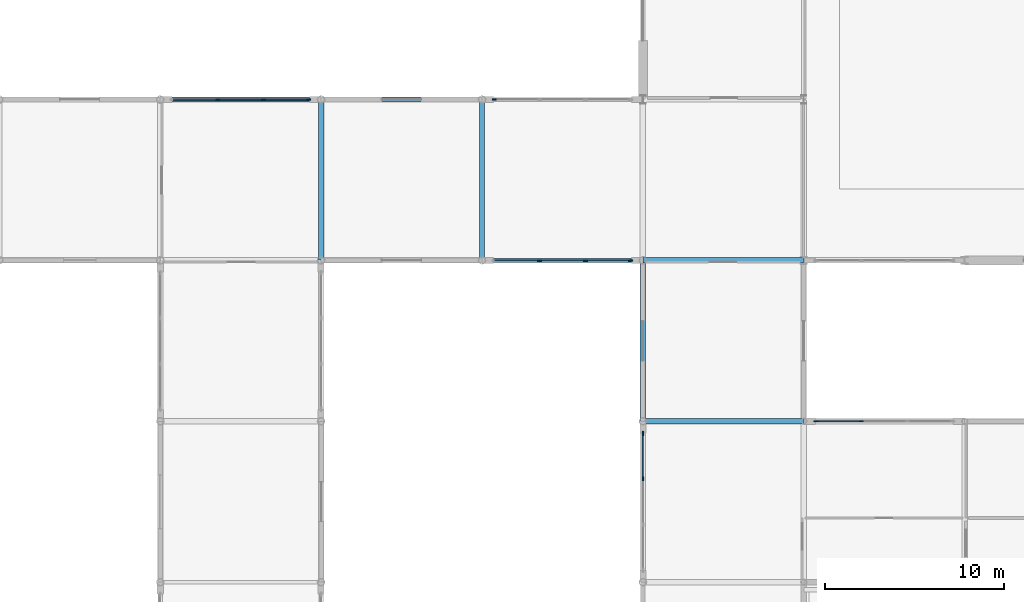
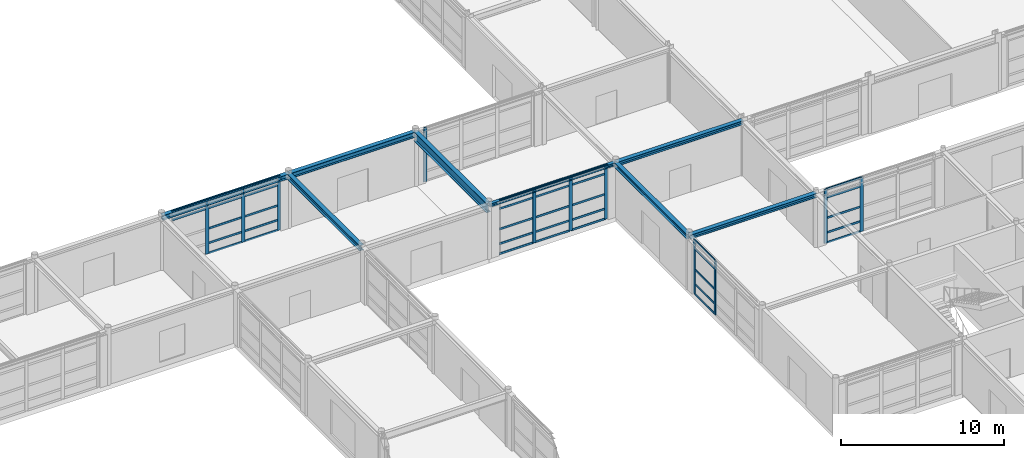
# One storey, part 34 of 72: 48 members, 8 beams, 5 elements without a shape of their own.
"""IFC4 building model written with IfcOpenShell, lengths in metres."""

from ifc_helpers import new_model, si_unit, direction, frame, origin, origin_2d, place, context, subcontext, project, spatial, rectangle, i_section, extrude, material, material_profile, profile_set, type_object, element, aggregate, save


model = new_model("IFC4")

# Units and contexts
model_context = context("Model", 3, precision=1e-05, world=origin(), true_north=direction((0.0, 1.0)))
body_context = subcontext(model_context, "Body", "Model", "MODEL_VIEW")
ifc_project = project(units=[si_unit("LENGTHUNIT", "METRE"), si_unit("AREAUNIT", "SQUARE_METRE"), si_unit("VOLUMEUNIT", "CUBIC_METRE"), si_unit("PLANEANGLEUNIT", "RADIAN"), si_unit("MASSUNIT", "GRAM", prefix="KILO")], contexts=[model_context])

# Site, building, storey
site_placement = place(None, origin())
site = spatial("IfcSite", under=ifc_project, at=site_placement, CompositionType="ELEMENT")
building_placement = place(site_placement, origin())
building = spatial("IfcBuilding", under=site, at=building_placement, Name="Palais des Congres Ocreval", CompositionType="ELEMENT")
storey_placement = place(building_placement, origin())
storey = spatial("IfcBuildingStorey", under=building, at=storey_placement, Name="L00", CompositionType="ELEMENT", Elevation=0.0)

# Curtain wall, members
ifc_material_1 = material(Name="Anodized bronze aluminium and low-E glass", Category="glass")
curtain_wall_type = type_object("IfcCurtainWallType", Name="Unitised Curtain Wall 7900x4060", PredefinedType="USERDEFINED", material=ifc_material_1)
curtain_wall_1_placement = place(storey_placement, origin())
curtain_wall_1 = element("IfcCurtainWall", 1, at=curtain_wall_1_placement, inside=storey, type_object=curtain_wall_type, Name="Unitised Curtain Wall CW01 L00", ObjectType="UNITISED CURTAIN WALL", PredefinedType="USERDEFINED")
ifc_material_2 = material(Name="Anodized bronze aluminium", Category="aluminium")
ifc_material_profile_1 = material_profile(ifc_material_2, rectangle(XDim=0.074951171875, YDim=0.239990234375, at=origin_2d()), Name="ALU 75x240")
ifc_profile_set_1 = profile_set([ifc_material_profile_1], Name="Anodized bronze aluminium")
member_type_1 = type_object("IfcMemberType", Name="Curtain Wall Mullion ALU 75x240", PredefinedType="MULLION", material=ifc_profile_set_1)
member_1_placement = place(storey_placement, frame((75.216796875, 81.0, 0.0), z_axis=(0.0, 0.0, 1.0), x_axis=(0.0, 1.0, 0.0)))
member_1 = element("IfcMember", 2, at=member_1_placement, type_object=member_type_1, Name="Curtain Wall Mullion ML01", PredefinedType="MULLION", context=body_context, shape_type="SweptSolid", body=[
    extrude(rectangle(XDim=0.074951171875, YDim=0.239990234375, at=origin_2d()), origin(), (0.0, 0.0, 1.0), 4.054931640625),
])
member_2_placement = place(storey_placement, frame((77.783203125, 81.0, 0.0), z_axis=(0.0, 0.0, 1.0), x_axis=(0.0, 1.0, 0.0)))
member_2 = element("IfcMember", 3, at=member_2_placement, type_object=member_type_1, Name="Curtain Wall Mullion ML01", PredefinedType="MULLION", context=body_context, shape_type="SweptSolid", body=[
    extrude(rectangle(XDim=0.074951171875, YDim=0.239990234375, at=origin_2d()), origin(), (0.0, 0.0, 1.0), 4.054931640625),
])
member_3_placement = place(storey_placement, frame((80.3125, 81.0, 0.0), z_axis=(0.0, 0.0, 1.0), x_axis=(0.0, 1.0, 0.0)))
member_3 = element("IfcMember", 4, at=member_3_placement, type_object=member_type_1, Name="Curtain Wall Mullion ML01", PredefinedType="MULLION", context=body_context, shape_type="SweptSolid", body=[
    extrude(rectangle(XDim=0.074951171875, YDim=0.239990234375, at=origin_2d()), origin(), (0.0, 0.0, 1.0), 4.054931640625),
])

# Curtain wall, member
curtain_wall_2_placement = place(storey_placement, origin())
curtain_wall_2 = element("IfcCurtainWall", 5, at=curtain_wall_2_placement, inside=storey, type_object=curtain_wall_type, Name="Unitised Curtain Wall CW01 L00", ObjectType="UNITISED CURTAIN WALL", PredefinedType="USERDEFINED")
member_4_placement = place(storey_placement, frame((90.6875, 81.0, 0.0), z_axis=(0.0, 0.0, 1.0), x_axis=(0.0, 1.0, 0.0)))
member_4 = element("IfcMember", 6, at=member_4_placement, type_object=member_type_1, Name="Curtain Wall Mullion ML01", PredefinedType="MULLION", context=body_context, shape_type="SweptSolid", body=[
    extrude(rectangle(XDim=0.074951171875, YDim=0.239990234375, at=origin_2d()), origin(), (0.0, 0.0, 1.0), 4.054931640625),
])
aggregate(curtain_wall_2, [member_4])

# Curtain wall, members
curtain_wall_3_placement = place(storey_placement, origin())
curtain_wall_3 = element("IfcCurtainWall", 7, at=curtain_wall_3_placement, inside=storey, type_object=curtain_wall_type, Name="Unitised Curtain Wall CW01 L00", ObjectType="UNITISED CURTAIN WALL", PredefinedType="USERDEFINED")
member_5_placement = place(storey_placement, frame((108.6875, 63.0, 0.0), z_axis=(0.0, 0.0, 1.0), x_axis=(0.0, 1.0, 0.0)))
member_5 = element("IfcMember", 8, at=member_5_placement, type_object=member_type_1, Name="Curtain Wall Mullion ML01", PredefinedType="MULLION", context=body_context, shape_type="SweptSolid", body=[
    extrude(rectangle(XDim=0.074951171875, YDim=0.239990234375, at=origin_2d()), origin(), (0.0, 0.0, 1.0), 4.054931640625),
])
member_6_placement = place(storey_placement, frame((111.216796875, 63.0, 0.0), z_axis=(0.0, 0.0, 1.0), x_axis=(0.0, 1.0, 0.0)))
member_6 = element("IfcMember", 9, at=member_6_placement, type_object=member_type_1, Name="Curtain Wall Mullion ML01", PredefinedType="MULLION", context=body_context, shape_type="SweptSolid", body=[
    extrude(rectangle(XDim=0.074951171875, YDim=0.239990234375, at=origin_2d()), origin(), (0.0, 0.0, 1.0), 4.054931640625),
])

curtain_wall_4_placement = place(storey_placement, origin())
curtain_wall_4 = element("IfcCurtainWall", 10, at=curtain_wall_4_placement, inside=storey, type_object=curtain_wall_type, Name="Unitised Curtain Wall CW01 L00", ObjectType="UNITISED CURTAIN WALL", PredefinedType="USERDEFINED")
member_7_placement = place(storey_placement, frame((99.0, 59.783203125, 0.0), z_axis=(0.0, 0.0, 1.0), x_axis=(-1.0, 0.0, 0.0)))
member_7 = element("IfcMember", 11, at=member_7_placement, type_object=member_type_1, Name="Curtain Wall Mullion ML01", PredefinedType="MULLION", context=body_context, shape_type="SweptSolid", body=[
    extrude(rectangle(XDim=0.074951171875, YDim=0.239990234375, at=origin_2d()), origin(), (0.0, 0.0, 1.0), 4.054931640625),
])
member_8_placement = place(storey_placement, frame((99.0, 62.3125, 0.0), z_axis=(0.0, 0.0, 1.0), x_axis=(-1.0, 0.0, 0.0)))
member_8 = element("IfcMember", 12, at=member_8_placement, type_object=member_type_1, Name="Curtain Wall Mullion ML01", PredefinedType="MULLION", context=body_context, shape_type="SweptSolid", body=[
    extrude(rectangle(XDim=0.074951171875, YDim=0.239990234375, at=origin_2d()), origin(), (0.0, 0.0, 1.0), 4.054931640625),
])

curtain_wall_5_placement = place(storey_placement, origin())
curtain_wall_5 = element("IfcCurtainWall", 13, at=curtain_wall_5_placement, inside=storey, type_object=curtain_wall_type, Name="Unitised Curtain Wall CW01 L00", ObjectType="UNITISED CURTAIN WALL", PredefinedType="USERDEFINED")
member_9_placement = place(storey_placement, frame((98.3125, 72.0, 0.0), z_axis=(0.0, 0.0, 1.0), x_axis=(0.0, -1.0, 0.0)))
member_9 = element("IfcMember", 14, at=member_9_placement, type_object=member_type_1, Name="Curtain Wall Mullion ML01", PredefinedType="MULLION", context=body_context, shape_type="SweptSolid", body=[
    extrude(rectangle(XDim=0.074951171875, YDim=0.239990234375, at=origin_2d()), origin(), (0.0, 0.0, 1.0), 4.054931640625),
])
member_10_placement = place(storey_placement, frame((95.783203125, 72.0, 0.0), z_axis=(0.0, 0.0, 1.0), x_axis=(0.0, -1.0, 0.0)))
member_10 = element("IfcMember", 15, at=member_10_placement, type_object=member_type_1, Name="Curtain Wall Mullion ML01", PredefinedType="MULLION", context=body_context, shape_type="SweptSolid", body=[
    extrude(rectangle(XDim=0.074951171875, YDim=0.239990234375, at=origin_2d()), origin(), (0.0, 0.0, 1.0), 4.054931640625),
])
member_11_placement = place(storey_placement, frame((93.216796875, 72.0, 0.0), z_axis=(0.0, 0.0, 1.0), x_axis=(0.0, -1.0, 0.0)))
member_11 = element("IfcMember", 16, at=member_11_placement, type_object=member_type_1, Name="Curtain Wall Mullion ML01", PredefinedType="MULLION", context=body_context, shape_type="SweptSolid", body=[
    extrude(rectangle(XDim=0.074951171875, YDim=0.239990234375, at=origin_2d()), origin(), (0.0, 0.0, 1.0), 4.054931640625),
])

# Member
ifc_material_profile_2 = material_profile(ifc_material_2, rectangle(XDim=0.06005859375, YDim=0.14990234375, at=origin_2d()), Name="ALU 60x150")
ifc_profile_set_2 = profile_set([ifc_material_profile_2], Name="Anodized bronze aluminium")
member_type_2 = type_object("IfcMemberType", Name="Curtain Wall Transom ALU 60x150", PredefinedType="USERDEFINED", material=ifc_profile_set_2)
member_12_placement = place(storey_placement, frame((72.72509765625, 81.0, 3.405029296875), z_axis=(1.0, 0.0, 0.0), x_axis=(0.0, 1.0, 0.0)))
member_12 = element("IfcMember", 17, at=member_12_placement, type_object=member_type_2, Name="Curtain Wall Transom TR01", ObjectType="TRANSOM", PredefinedType="USERDEFINED", context=body_context, shape_type="SweptSolid", body=[
    extrude(rectangle(XDim=0.06005859375, YDim=0.14990234375, at=origin_2d()), origin(), (0.0, 0.0, 1.0), 2.4541015625),
])

member_13_placement = place(storey_placement, frame((72.72509765625, 81.0, 4.02490234375), z_axis=(1.0, 0.0, 0.0), x_axis=(0.0, 1.0, 0.0)))
member_13 = element("IfcMember", 18, at=member_13_placement, type_object=member_type_2, Name="Curtain Wall Transom TR01", ObjectType="TRANSOM", PredefinedType="USERDEFINED", context=body_context, shape_type="SweptSolid", body=[
    extrude(rectangle(XDim=0.06005859375, YDim=0.14990234375, at=origin_2d()), origin(), (0.0, 0.0, 1.0), 2.4541015625),
])

member_14_placement = place(storey_placement, frame((75.254150390625, 81.0, 0.030029296875), z_axis=(1.0, 0.0, 0.0), x_axis=(0.0, 1.0, 0.0)))
member_14 = element("IfcMember", 19, at=member_14_placement, type_object=member_type_2, Name="Curtain Wall Transom TR01", ObjectType="TRANSOM", PredefinedType="USERDEFINED", context=body_context, shape_type="SweptSolid", body=[
    extrude(rectangle(XDim=0.06005859375, YDim=0.14990234375, at=origin_2d()), origin(), (0.0, 0.0, 1.0), 2.49169921875),
])

member_15_placement = place(storey_placement, frame((75.254150390625, 81.0, 0.780029296875), z_axis=(1.0, 0.0, 0.0), x_axis=(0.0, 1.0, 0.0)))
member_15 = element("IfcMember", 20, at=member_15_placement, type_object=member_type_2, Name="Curtain Wall Transom TR01", ObjectType="TRANSOM", PredefinedType="USERDEFINED", context=body_context, shape_type="SweptSolid", body=[
    extrude(rectangle(XDim=0.06005859375, YDim=0.14990234375, at=origin_2d()), origin(), (0.0, 0.0, 1.0), 2.49169921875),
])

member_16_placement = place(storey_placement, frame((75.254150390625, 81.0, 1.872802734375), z_axis=(1.0, 0.0, 0.0), x_axis=(0.0, 1.0, 0.0)))
member_16 = element("IfcMember", 21, at=member_16_placement, type_object=member_type_2, Name="Curtain Wall Transom TR01", ObjectType="TRANSOM", PredefinedType="USERDEFINED", context=body_context, shape_type="SweptSolid", body=[
    extrude(rectangle(XDim=0.06005859375, YDim=0.14990234375, at=origin_2d()), origin(), (0.0, 0.0, 1.0), 2.49169921875),
])

member_17_placement = place(storey_placement, frame((75.254150390625, 81.0, 3.405029296875), z_axis=(1.0, 0.0, 0.0), x_axis=(0.0, 1.0, 0.0)))
member_17 = element("IfcMember", 22, at=member_17_placement, type_object=member_type_2, Name="Curtain Wall Transom TR01", ObjectType="TRANSOM", PredefinedType="USERDEFINED", context=body_context, shape_type="SweptSolid", body=[
    extrude(rectangle(XDim=0.06005859375, YDim=0.14990234375, at=origin_2d()), origin(), (0.0, 0.0, 1.0), 2.49169921875),
])

member_18_placement = place(storey_placement, frame((75.254150390625, 81.0, 4.02490234375), z_axis=(1.0, 0.0, 0.0), x_axis=(0.0, 1.0, 0.0)))
member_18 = element("IfcMember", 23, at=member_18_placement, type_object=member_type_2, Name="Curtain Wall Transom TR01", ObjectType="TRANSOM", PredefinedType="USERDEFINED", context=body_context, shape_type="SweptSolid", body=[
    extrude(rectangle(XDim=0.06005859375, YDim=0.14990234375, at=origin_2d()), origin(), (0.0, 0.0, 1.0), 2.49169921875),
])

member_19_placement = place(storey_placement, frame((77.82080078125, 81.0, 0.030029296875), z_axis=(1.0, 0.0, 0.0), x_axis=(0.0, 1.0, 0.0)))
member_19 = element("IfcMember", 24, at=member_19_placement, type_object=member_type_2, Name="Curtain Wall Transom TR01", ObjectType="TRANSOM", PredefinedType="USERDEFINED", context=body_context, shape_type="SweptSolid", body=[
    extrude(rectangle(XDim=0.06005859375, YDim=0.14990234375, at=origin_2d()), origin(), (0.0, 0.0, 1.0), 2.4541015625),
])

member_20_placement = place(storey_placement, frame((77.82080078125, 81.0, 0.780029296875), z_axis=(1.0, 0.0, 0.0), x_axis=(0.0, 1.0, 0.0)))
member_20 = element("IfcMember", 25, at=member_20_placement, type_object=member_type_2, Name="Curtain Wall Transom TR01", ObjectType="TRANSOM", PredefinedType="USERDEFINED", context=body_context, shape_type="SweptSolid", body=[
    extrude(rectangle(XDim=0.06005859375, YDim=0.14990234375, at=origin_2d()), origin(), (0.0, 0.0, 1.0), 2.4541015625),
])

member_21_placement = place(storey_placement, frame((77.82080078125, 81.0, 1.872802734375), z_axis=(1.0, 0.0, 0.0), x_axis=(0.0, 1.0, 0.0)))
member_21 = element("IfcMember", 26, at=member_21_placement, type_object=member_type_2, Name="Curtain Wall Transom TR01", ObjectType="TRANSOM", PredefinedType="USERDEFINED", context=body_context, shape_type="SweptSolid", body=[
    extrude(rectangle(XDim=0.06005859375, YDim=0.14990234375, at=origin_2d()), origin(), (0.0, 0.0, 1.0), 2.4541015625),
])

member_22_placement = place(storey_placement, frame((77.82080078125, 81.0, 3.405029296875), z_axis=(1.0, 0.0, 0.0), x_axis=(0.0, 1.0, 0.0)))
member_22 = element("IfcMember", 27, at=member_22_placement, type_object=member_type_2, Name="Curtain Wall Transom TR01", ObjectType="TRANSOM", PredefinedType="USERDEFINED", context=body_context, shape_type="SweptSolid", body=[
    extrude(rectangle(XDim=0.06005859375, YDim=0.14990234375, at=origin_2d()), origin(), (0.0, 0.0, 1.0), 2.4541015625),
])

member_23_placement = place(storey_placement, frame((77.82080078125, 81.0, 4.02490234375), z_axis=(1.0, 0.0, 0.0), x_axis=(0.0, 1.0, 0.0)))
member_23 = element("IfcMember", 28, at=member_23_placement, type_object=member_type_2, Name="Curtain Wall Transom TR01", ObjectType="TRANSOM", PredefinedType="USERDEFINED", context=body_context, shape_type="SweptSolid", body=[
    extrude(rectangle(XDim=0.06005859375, YDim=0.14990234375, at=origin_2d()), origin(), (0.0, 0.0, 1.0), 2.4541015625),
])

aggregate(curtain_wall_1, [member_1, member_2, member_3, member_12, member_13, member_14, member_15, member_16, member_17, member_18, member_19, member_20, member_21, member_22, member_23])

member_24_placement = place(storey_placement, frame((108.72509765625, 63.0, 0.030029296875), z_axis=(1.0, 0.0, 0.0), x_axis=(0.0, 1.0, 0.0)))
member_24 = element("IfcMember", 29, at=member_24_placement, type_object=member_type_2, Name="Curtain Wall Transom TR01", ObjectType="TRANSOM", PredefinedType="USERDEFINED", context=body_context, shape_type="SweptSolid", body=[
    extrude(rectangle(XDim=0.06005859375, YDim=0.14990234375, at=origin_2d()), origin(), (0.0, 0.0, 1.0), 2.4541015625),
])

member_25_placement = place(storey_placement, frame((108.72509765625, 63.0, 0.780029296875), z_axis=(1.0, 0.0, 0.0), x_axis=(0.0, 1.0, 0.0)))
member_25 = element("IfcMember", 30, at=member_25_placement, type_object=member_type_2, Name="Curtain Wall Transom TR01", ObjectType="TRANSOM", PredefinedType="USERDEFINED", context=body_context, shape_type="SweptSolid", body=[
    extrude(rectangle(XDim=0.06005859375, YDim=0.14990234375, at=origin_2d()), origin(), (0.0, 0.0, 1.0), 2.4541015625),
])

member_26_placement = place(storey_placement, frame((108.72509765625, 63.0, 1.872802734375), z_axis=(1.0, 0.0, 0.0), x_axis=(0.0, 1.0, 0.0)))
member_26 = element("IfcMember", 31, at=member_26_placement, type_object=member_type_2, Name="Curtain Wall Transom TR01", ObjectType="TRANSOM", PredefinedType="USERDEFINED", context=body_context, shape_type="SweptSolid", body=[
    extrude(rectangle(XDim=0.06005859375, YDim=0.14990234375, at=origin_2d()), origin(), (0.0, 0.0, 1.0), 2.4541015625),
])

member_27_placement = place(storey_placement, frame((108.72509765625, 63.0, 3.405029296875), z_axis=(1.0, 0.0, 0.0), x_axis=(0.0, 1.0, 0.0)))
member_27 = element("IfcMember", 32, at=member_27_placement, type_object=member_type_2, Name="Curtain Wall Transom TR01", ObjectType="TRANSOM", PredefinedType="USERDEFINED", context=body_context, shape_type="SweptSolid", body=[
    extrude(rectangle(XDim=0.06005859375, YDim=0.14990234375, at=origin_2d()), origin(), (0.0, 0.0, 1.0), 2.4541015625),
])

member_28_placement = place(storey_placement, frame((108.72509765625, 63.0, 4.02490234375), z_axis=(1.0, 0.0, 0.0), x_axis=(0.0, 1.0, 0.0)))
member_28 = element("IfcMember", 33, at=member_28_placement, type_object=member_type_2, Name="Curtain Wall Transom TR01", ObjectType="TRANSOM", PredefinedType="USERDEFINED", context=body_context, shape_type="SweptSolid", body=[
    extrude(rectangle(XDim=0.06005859375, YDim=0.14990234375, at=origin_2d()), origin(), (0.0, 0.0, 1.0), 2.4541015625),
])

aggregate(curtain_wall_3, [member_5, member_6, member_24, member_25, member_26, member_27, member_28])

member_29_placement = place(storey_placement, frame((99.0, 59.82080078125, 0.030029296875), z_axis=(0.0, 1.0, 0.0), x_axis=(-1.0, 0.0, 0.0)))
member_29 = element("IfcMember", 34, at=member_29_placement, type_object=member_type_2, Name="Curtain Wall Transom TR01", ObjectType="TRANSOM", PredefinedType="USERDEFINED", context=body_context, shape_type="SweptSolid", body=[
    extrude(rectangle(XDim=0.06005859375, YDim=0.14990234375, at=origin_2d()), origin(), (0.0, 0.0, 1.0), 2.4541015625),
])

member_30_placement = place(storey_placement, frame((99.0, 59.82080078125, 0.780029296875), z_axis=(0.0, 1.0, 0.0), x_axis=(-1.0, 0.0, 0.0)))
member_30 = element("IfcMember", 35, at=member_30_placement, type_object=member_type_2, Name="Curtain Wall Transom TR01", ObjectType="TRANSOM", PredefinedType="USERDEFINED", context=body_context, shape_type="SweptSolid", body=[
    extrude(rectangle(XDim=0.06005859375, YDim=0.14990234375, at=origin_2d()), origin(), (0.0, 0.0, 1.0), 2.4541015625),
])

member_31_placement = place(storey_placement, frame((99.0, 59.82080078125, 1.872802734375), z_axis=(0.0, 1.0, 0.0), x_axis=(-1.0, 0.0, 0.0)))
member_31 = element("IfcMember", 36, at=member_31_placement, type_object=member_type_2, Name="Curtain Wall Transom TR01", ObjectType="TRANSOM", PredefinedType="USERDEFINED", context=body_context, shape_type="SweptSolid", body=[
    extrude(rectangle(XDim=0.06005859375, YDim=0.14990234375, at=origin_2d()), origin(), (0.0, 0.0, 1.0), 2.4541015625),
])

member_32_placement = place(storey_placement, frame((99.0, 59.82080078125, 3.405029296875), z_axis=(0.0, 1.0, 0.0), x_axis=(-1.0, 0.0, 0.0)))
member_32 = element("IfcMember", 37, at=member_32_placement, type_object=member_type_2, Name="Curtain Wall Transom TR01", ObjectType="TRANSOM", PredefinedType="USERDEFINED", context=body_context, shape_type="SweptSolid", body=[
    extrude(rectangle(XDim=0.06005859375, YDim=0.14990234375, at=origin_2d()), origin(), (0.0, 0.0, 1.0), 2.4541015625),
])

member_33_placement = place(storey_placement, frame((99.0, 59.82080078125, 4.02490234375), z_axis=(0.0, 1.0, 0.0), x_axis=(-1.0, 0.0, 0.0)))
member_33 = element("IfcMember", 38, at=member_33_placement, type_object=member_type_2, Name="Curtain Wall Transom TR01", ObjectType="TRANSOM", PredefinedType="USERDEFINED", context=body_context, shape_type="SweptSolid", body=[
    extrude(rectangle(XDim=0.06005859375, YDim=0.14990234375, at=origin_2d()), origin(), (0.0, 0.0, 1.0), 2.4541015625),
])

aggregate(curtain_wall_4, [member_7, member_8, member_29, member_30, member_31, member_32, member_33])

member_34_placement = place(storey_placement, frame((98.27490234375, 72.0, 0.030029296875), z_axis=(-1.0, 0.0, 0.0), x_axis=(0.0, -1.0, 0.0)))
member_34 = element("IfcMember", 39, at=member_34_placement, type_object=member_type_2, Name="Curtain Wall Transom TR01", ObjectType="TRANSOM", PredefinedType="USERDEFINED", context=body_context, shape_type="SweptSolid", body=[
    extrude(rectangle(XDim=0.06005859375, YDim=0.14990234375, at=origin_2d()), origin(), (0.0, 0.0, 1.0), 2.4541015625),
])

member_35_placement = place(storey_placement, frame((98.27490234375, 72.0, 0.780029296875), z_axis=(-1.0, 0.0, 0.0), x_axis=(0.0, -1.0, 0.0)))
member_35 = element("IfcMember", 40, at=member_35_placement, type_object=member_type_2, Name="Curtain Wall Transom TR01", ObjectType="TRANSOM", PredefinedType="USERDEFINED", context=body_context, shape_type="SweptSolid", body=[
    extrude(rectangle(XDim=0.06005859375, YDim=0.14990234375, at=origin_2d()), origin(), (0.0, 0.0, 1.0), 2.4541015625),
])

member_36_placement = place(storey_placement, frame((98.27490234375, 72.0, 1.872802734375), z_axis=(-1.0, 0.0, 0.0), x_axis=(0.0, -1.0, 0.0)))
member_36 = element("IfcMember", 41, at=member_36_placement, type_object=member_type_2, Name="Curtain Wall Transom TR01", ObjectType="TRANSOM", PredefinedType="USERDEFINED", context=body_context, shape_type="SweptSolid", body=[
    extrude(rectangle(XDim=0.06005859375, YDim=0.14990234375, at=origin_2d()), origin(), (0.0, 0.0, 1.0), 2.4541015625),
])

member_37_placement = place(storey_placement, frame((98.27490234375, 72.0, 3.405029296875), z_axis=(-1.0, 0.0, 0.0), x_axis=(0.0, -1.0, 0.0)))
member_37 = element("IfcMember", 42, at=member_37_placement, type_object=member_type_2, Name="Curtain Wall Transom TR01", ObjectType="TRANSOM", PredefinedType="USERDEFINED", context=body_context, shape_type="SweptSolid", body=[
    extrude(rectangle(XDim=0.06005859375, YDim=0.14990234375, at=origin_2d()), origin(), (0.0, 0.0, 1.0), 2.4541015625),
])

member_38_placement = place(storey_placement, frame((98.27490234375, 72.0, 4.02490234375), z_axis=(-1.0, 0.0, 0.0), x_axis=(0.0, -1.0, 0.0)))
member_38 = element("IfcMember", 43, at=member_38_placement, type_object=member_type_2, Name="Curtain Wall Transom TR01", ObjectType="TRANSOM", PredefinedType="USERDEFINED", context=body_context, shape_type="SweptSolid", body=[
    extrude(rectangle(XDim=0.06005859375, YDim=0.14990234375, at=origin_2d()), origin(), (0.0, 0.0, 1.0), 2.4541015625),
])

member_39_placement = place(storey_placement, frame((95.745849609375, 72.0, 0.030029296875), z_axis=(-1.0, 0.0, 0.0), x_axis=(0.0, -1.0, 0.0)))
member_39 = element("IfcMember", 44, at=member_39_placement, type_object=member_type_2, Name="Curtain Wall Transom TR01", ObjectType="TRANSOM", PredefinedType="USERDEFINED", context=body_context, shape_type="SweptSolid", body=[
    extrude(rectangle(XDim=0.06005859375, YDim=0.14990234375, at=origin_2d()), origin(), (0.0, 0.0, 1.0), 2.49169921875),
])

member_40_placement = place(storey_placement, frame((95.745849609375, 72.0, 0.780029296875), z_axis=(-1.0, 0.0, 0.0), x_axis=(0.0, -1.0, 0.0)))
member_40 = element("IfcMember", 45, at=member_40_placement, type_object=member_type_2, Name="Curtain Wall Transom TR01", ObjectType="TRANSOM", PredefinedType="USERDEFINED", context=body_context, shape_type="SweptSolid", body=[
    extrude(rectangle(XDim=0.06005859375, YDim=0.14990234375, at=origin_2d()), origin(), (0.0, 0.0, 1.0), 2.49169921875),
])

member_41_placement = place(storey_placement, frame((95.745849609375, 72.0, 1.872802734375), z_axis=(-1.0, 0.0, 0.0), x_axis=(0.0, -1.0, 0.0)))
member_41 = element("IfcMember", 46, at=member_41_placement, type_object=member_type_2, Name="Curtain Wall Transom TR01", ObjectType="TRANSOM", PredefinedType="USERDEFINED", context=body_context, shape_type="SweptSolid", body=[
    extrude(rectangle(XDim=0.06005859375, YDim=0.14990234375, at=origin_2d()), origin(), (0.0, 0.0, 1.0), 2.49169921875),
])

member_42_placement = place(storey_placement, frame((95.745849609375, 72.0, 3.405029296875), z_axis=(-1.0, 0.0, 0.0), x_axis=(0.0, -1.0, 0.0)))
member_42 = element("IfcMember", 47, at=member_42_placement, type_object=member_type_2, Name="Curtain Wall Transom TR01", ObjectType="TRANSOM", PredefinedType="USERDEFINED", context=body_context, shape_type="SweptSolid", body=[
    extrude(rectangle(XDim=0.06005859375, YDim=0.14990234375, at=origin_2d()), origin(), (0.0, 0.0, 1.0), 2.49169921875),
])

member_43_placement = place(storey_placement, frame((95.745849609375, 72.0, 4.02490234375), z_axis=(-1.0, 0.0, 0.0), x_axis=(0.0, -1.0, 0.0)))
member_43 = element("IfcMember", 48, at=member_43_placement, type_object=member_type_2, Name="Curtain Wall Transom TR01", ObjectType="TRANSOM", PredefinedType="USERDEFINED", context=body_context, shape_type="SweptSolid", body=[
    extrude(rectangle(XDim=0.06005859375, YDim=0.14990234375, at=origin_2d()), origin(), (0.0, 0.0, 1.0), 2.49169921875),
])

member_44_placement = place(storey_placement, frame((93.17919921875, 72.0, 0.030029296875), z_axis=(-1.0, 0.0, 0.0), x_axis=(0.0, -1.0, 0.0)))
member_44 = element("IfcMember", 49, at=member_44_placement, type_object=member_type_2, Name="Curtain Wall Transom TR01", ObjectType="TRANSOM", PredefinedType="USERDEFINED", context=body_context, shape_type="SweptSolid", body=[
    extrude(rectangle(XDim=0.06005859375, YDim=0.14990234375, at=origin_2d()), origin(), (0.0, 0.0, 1.0), 2.4541015625),
])

member_45_placement = place(storey_placement, frame((93.17919921875, 72.0, 0.780029296875), z_axis=(-1.0, 0.0, 0.0), x_axis=(0.0, -1.0, 0.0)))
member_45 = element("IfcMember", 50, at=member_45_placement, type_object=member_type_2, Name="Curtain Wall Transom TR01", ObjectType="TRANSOM", PredefinedType="USERDEFINED", context=body_context, shape_type="SweptSolid", body=[
    extrude(rectangle(XDim=0.06005859375, YDim=0.14990234375, at=origin_2d()), origin(), (0.0, 0.0, 1.0), 2.4541015625),
])

member_46_placement = place(storey_placement, frame((93.17919921875, 72.0, 1.872802734375), z_axis=(-1.0, 0.0, 0.0), x_axis=(0.0, -1.0, 0.0)))
member_46 = element("IfcMember", 51, at=member_46_placement, type_object=member_type_2, Name="Curtain Wall Transom TR01", ObjectType="TRANSOM", PredefinedType="USERDEFINED", context=body_context, shape_type="SweptSolid", body=[
    extrude(rectangle(XDim=0.06005859375, YDim=0.14990234375, at=origin_2d()), origin(), (0.0, 0.0, 1.0), 2.4541015625),
])

member_47_placement = place(storey_placement, frame((93.17919921875, 72.0, 3.405029296875), z_axis=(-1.0, 0.0, 0.0), x_axis=(0.0, -1.0, 0.0)))
member_47 = element("IfcMember", 52, at=member_47_placement, type_object=member_type_2, Name="Curtain Wall Transom TR01", ObjectType="TRANSOM", PredefinedType="USERDEFINED", context=body_context, shape_type="SweptSolid", body=[
    extrude(rectangle(XDim=0.06005859375, YDim=0.14990234375, at=origin_2d()), origin(), (0.0, 0.0, 1.0), 2.4541015625),
])

member_48_placement = place(storey_placement, frame((93.17919921875, 72.0, 4.02490234375), z_axis=(-1.0, 0.0, 0.0), x_axis=(0.0, -1.0, 0.0)))
member_48 = element("IfcMember", 53, at=member_48_placement, type_object=member_type_2, Name="Curtain Wall Transom TR01", ObjectType="TRANSOM", PredefinedType="USERDEFINED", context=body_context, shape_type="SweptSolid", body=[
    extrude(rectangle(XDim=0.06005859375, YDim=0.14990234375, at=origin_2d()), origin(), (0.0, 0.0, 1.0), 2.4541015625),
])

aggregate(curtain_wall_5, [member_9, member_10, member_11, member_34, member_35, member_36, member_37, member_38, member_39, member_40, member_41, member_42, member_43, member_44, member_45, member_46, member_47, member_48])

# Beams
ifc_material_3 = material(Name="Steel S355", Category="steel")
ifc_material_profile_3 = material_profile(ifc_material_3, i_section(OverallWidth=0.239990234375, OverallDepth=0.22998046875, WebThickness=0.007568359375, FlangeThickness=0.011962890625, at=origin_2d()), Name="HEA 240")
ifc_profile_set_3 = profile_set([ifc_material_profile_3], Name="Steel S355")
beam_type_1 = type_object("IfcBeamType", Name="Perimeter Spandrel HEA 240 Steel S355", PredefinedType="SPANDREL", material=ifc_profile_set_3)
beam_1_placement = place(storey_placement, frame((90.02001953125, 72.0, 3.93994140625), z_axis=(1.0, 0.0, 0.0), x_axis=(0.0, 1.0, 0.0)))
element("IfcBeam", 54, at=beam_1_placement, inside=storey, type_object=beam_type_1, Name="Beam SP01 L00", PredefinedType="SPANDREL", context=body_context, shape_type="SweptSolid", body=[
    extrude(i_section(OverallWidth=0.239990234375, OverallDepth=0.22998046875, WebThickness=0.007568359375, FlangeThickness=0.011962890625, at=origin_2d()), origin(), (0.0, 0.0, 1.0), 8.9599609375),
])
ifc_material_profile_4 = material_profile(ifc_material_3, i_section(OverallWidth=0.300048828125, OverallDepth=0.300048828125, WebThickness=0.010986328125, FlangeThickness=0.01904296875, at=origin_2d()), Name="HEB 300")
ifc_profile_set_4 = profile_set([ifc_material_profile_4], Name="Steel S355")
beam_type_2 = type_object("IfcBeamType", Name="Perimeter Spandrel HEB 300 Steel S355", PredefinedType="SPANDREL", material=ifc_profile_set_4)
for number, where, z_axis, x_axis, name in (
    (55, (99.02001953125, 63.0, 3.905029296875), (1.0, 0.0, 0.0), (0.0, 1.0, 0.0), "Beam SP02 L00"),
    (56, (99.02001953125, 72.0, 3.905029296875), (1.0, 0.0, 0.0), (0.0, 1.0, 0.0), "Beam SP02 L00"),
):
    element("IfcBeam", number, at=place(storey_placement, frame(where, z_axis=z_axis, x_axis=x_axis)), inside=storey, type_object=beam_type_2, Name=name, PredefinedType="SPANDREL", context=body_context, shape_type="SweptSolid", body=[
        extrude(i_section(OverallWidth=0.300048828125, OverallDepth=0.300048828125, WebThickness=0.010986328125, FlangeThickness=0.01904296875, at=origin_2d()), origin(), (0.0, 0.0, 1.0), 8.9599609375),
    ])
ifc_material_profile_5 = material_profile(ifc_material_3, i_section(OverallWidth=0.300048828125, OverallDepth=0.360107421875, WebThickness=0.012451171875, FlangeThickness=0.0224609375, at=origin_2d()), Name="HEB 360")
ifc_profile_set_5 = profile_set([ifc_material_profile_5], Name="Steel S355")
beam_type_3 = type_object("IfcBeamType", Name="Perimeter Spandrel HEB 360 Steel S355", PredefinedType="SPANDREL", material=ifc_profile_set_5)
for number, where, z_axis, x_axis, name in (
    (57, (72.02001953125, 81.0, 3.875), (1.0, 0.0, 0.0), (0.0, 1.0, 0.0), "Beam SP03 L00"),
    (58, (99.0, 63.02001953125, 3.875), (0.0, 1.0, 0.0), (-1.0, 0.0, 0.0), "Girder SP03 L00"),
):
    element("IfcBeam", number, at=place(storey_placement, frame(where, z_axis=z_axis, x_axis=x_axis)), inside=storey, type_object=beam_type_3, Name=name, PredefinedType="SPANDREL", context=body_context, shape_type="SweptSolid", body=[
        extrude(i_section(OverallWidth=0.300048828125, OverallDepth=0.360107421875, WebThickness=0.012451171875, FlangeThickness=0.0224609375, at=origin_2d()), origin(), (0.0, 0.0, 1.0), 8.9599609375),
    ])
ifc_material_profile_6 = material_profile(ifc_material_3, i_section(OverallWidth=0.300048828125, OverallDepth=0.39990234375, WebThickness=0.013427734375, FlangeThickness=0.02392578125, at=origin_2d()), Name="HEB 400")
ifc_profile_set_6 = profile_set([ifc_material_profile_6], Name="Steel S355")
beam_type_4 = type_object("IfcBeamType", Name="Perimeter Spandrel HEB 400 Steel S355", PredefinedType="SPANDREL", material=ifc_profile_set_6)
for number, where, z_axis, x_axis, name in (
    (59, (81.0, 72.02001953125, 3.85498046875), (0.0, 1.0, 0.0), (-1.0, 0.0, 0.0), "Girder SP04 L00"),
    (60, (81.02001953125, 81.0, 3.85498046875), (1.0, 0.0, 0.0), (0.0, 1.0, 0.0), "Beam SP04 L00"),
):
    element("IfcBeam", number, at=place(storey_placement, frame(where, z_axis=z_axis, x_axis=x_axis)), inside=storey, type_object=beam_type_4, Name=name, PredefinedType="SPANDREL", context=body_context, shape_type="SweptSolid", body=[
        extrude(i_section(OverallWidth=0.300048828125, OverallDepth=0.39990234375, WebThickness=0.013427734375, FlangeThickness=0.02392578125, at=origin_2d()), origin(), (0.0, 0.0, 1.0), 8.9599609375),
    ])
ifc_material_profile_7 = material_profile(ifc_material_3, i_section(OverallWidth=0.300048828125, OverallDepth=0.68994140625, WebThickness=0.014404296875, FlangeThickness=0.027099609375, at=origin_2d()), Name="HEA 700")
ifc_profile_set_7 = profile_set([ifc_material_profile_7], Name="Steel S355")
beam_type_5 = type_object("IfcBeamType", Name="Primary Girder HEA 700 Steel S355", PredefinedType="BEAM", material=ifc_profile_set_7)
beam_2_placement = place(storey_placement, frame((90.0, 72.02001953125, 3.7099609375), z_axis=(0.0, 1.0, 0.0), x_axis=(-1.0, 0.0, 0.0)))
element("IfcBeam", 61, at=beam_2_placement, inside=storey, type_object=beam_type_5, Name="Girder B14 L00", PredefinedType="BEAM", context=body_context, shape_type="SweptSolid", body=[
    extrude(i_section(OverallWidth=0.300048828125, OverallDepth=0.68994140625, WebThickness=0.014404296875, FlangeThickness=0.027099609375, at=origin_2d()), origin(), (0.0, 0.0, 1.0), 8.9599609375),
])

save(model, "model.ifc")
